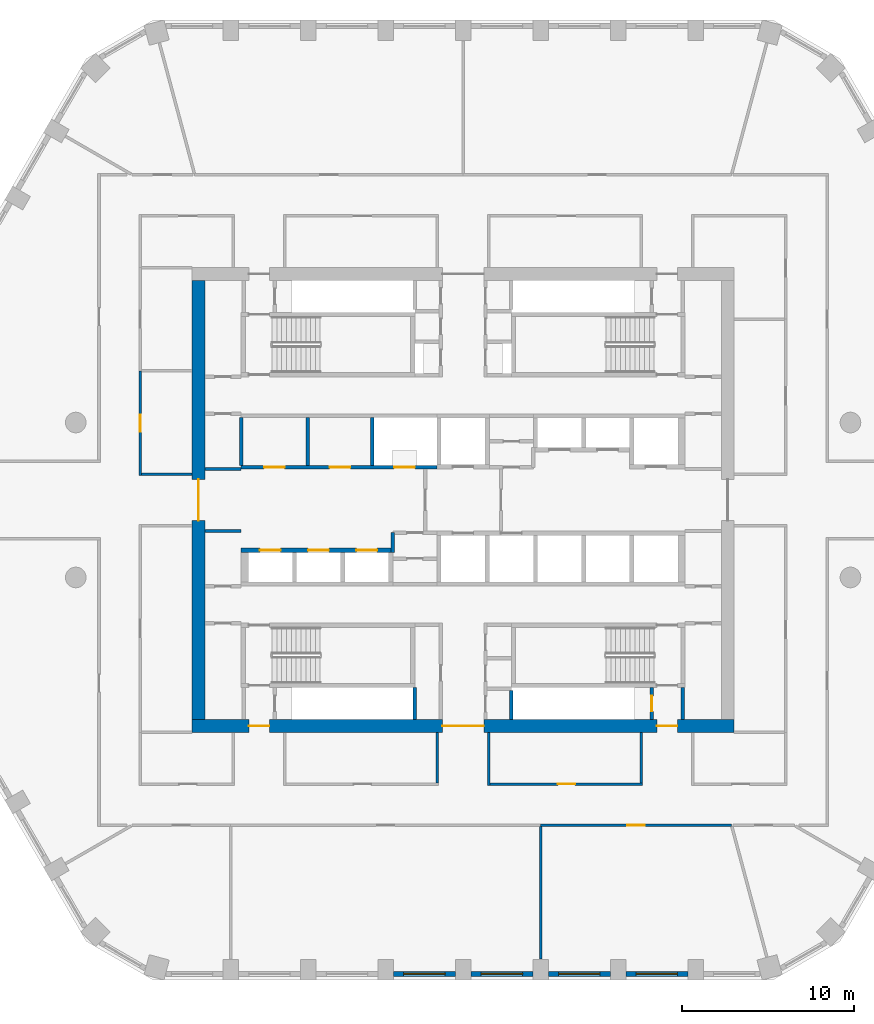
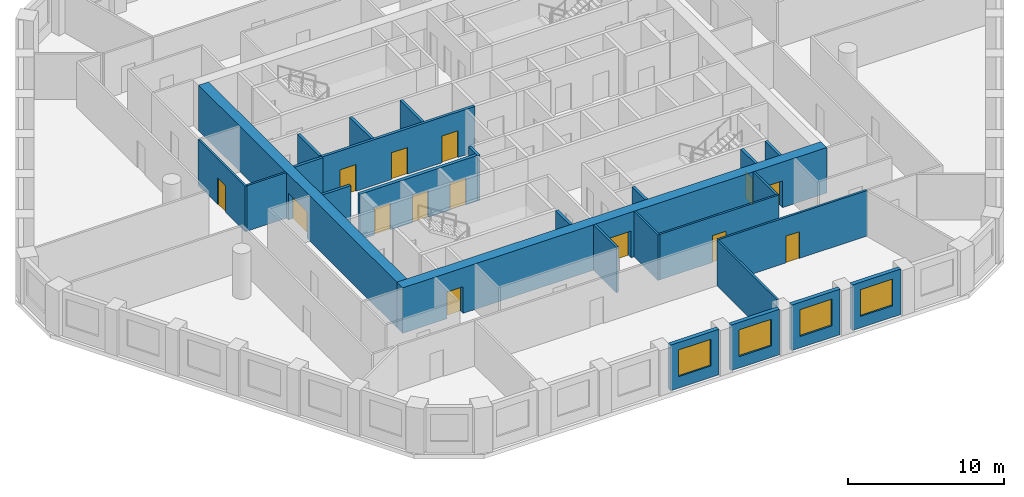
# One storey, part 3 of 10: 26 walls, 14 doors, 4 windows, 18 openings.
"""IFC4 building model written with IfcOpenShell, lengths in metres."""

from ifc_helpers import new_model, si_unit, direction, frame, frame_2d, origin, place, context, subcontext, project, spatial, rectangle, extrude, material, layer, layer_set, type_object, element, fill, save


model = new_model("IFC4")

# Units and contexts
model_context = context("Model", 3, precision=1e-05, world=origin(), true_north=direction((0.0, 1.0)))
body_context = subcontext(model_context, "Body", "Model", "MODEL_VIEW")
ifc_project = project(units=[si_unit("LENGTHUNIT", "METRE"), si_unit("AREAUNIT", "SQUARE_METRE"), si_unit("VOLUMEUNIT", "CUBIC_METRE"), si_unit("PLANEANGLEUNIT", "RADIAN"), si_unit("MASSUNIT", "GRAM", prefix="KILO")], contexts=[model_context])

# Site, building, storey
site_placement = place(None, origin())
site = spatial("IfcSite", under=ifc_project, at=site_placement, CompositionType="ELEMENT")
building_placement = place(site_placement, origin())
building = spatial("IfcBuilding", under=site, at=building_placement, Name="Dhurran Vertical Campus", CompositionType="ELEMENT")
storey_placement = place(building_placement, frame((0.0, 0.0, 152.10009765625)))
storey = spatial("IfcBuildingStorey", under=building, at=storey_placement, Name="L37", CompositionType="ELEMENT", Elevation=152.10009765625)

# Wall, opening, window
ifc_material_1 = material(Name="Precast concrete C50/60", Category="concrete")
ifc_layer_1 = layer(ifc_material_1, 0.300048828125)
ifc_layer_set_1 = layer_set([ifc_layer_1], Name="Precast concrete C50/60")
wall_type_1 = type_object("IfcWallType", Name="Precast spandrel wall 300", PredefinedType="SOLIDWALL", material=ifc_layer_set_1)
wall_1_placement = place(storey_placement, frame((-4.049560546875, -27.53271484375, 0.0), z_axis=(0.0, 0.0, 1.0), x_axis=(1.0, 0.0, 0.0)))
wall_1 = element("IfcWall", 1, at=wall_1_placement, inside=storey, type_object=wall_type_1, Name="EW1 L37.03", PredefinedType="SOLIDWALL", context=body_context, shape_type="SweptSolid", body=[
    extrude(rectangle(XDim=3.59912109375, YDim=0.300048828125, at=frame_2d((1.799560546875, 0.0))), origin(), (0.0, 0.0, 1.0), 3.574951171875),
])
opening_1_placement = place(wall_1_placement, frame((0.599609375, 0.0, 0.89990234375)))
opening_1 = element("IfcOpeningElement", 2, at=opening_1_placement, cuts=wall_1, Name="Opening WT1", PredefinedType="OPENING", context=body_context, shape_type="SweptSolid", body=[
    extrude(rectangle(XDim=2.39990234375, YDim=2.10009765625, at=frame_2d((1.199951171875, 1.050048828125))), frame((0.0, 0.159912109375, 0.0), z_axis=(0.0, -1.0, 0.0), x_axis=(1.0, 0.0, 0.0)), (0.0, 0.0, 1.0), 0.320068359375),
])
ifc_material_2 = material(Name="Aluminium frame with solar-control glass", Category="aluminium")
window_type = type_object("IfcWindowType", Name="Punched window 2400 x 2100", PartitioningType="SINGLE_PANEL", PredefinedType="WINDOW", material=ifc_material_2)
window_1_placement = place(opening_1_placement, origin())
window_1 = element("IfcWindow", 3, at=window_1_placement, inside=storey, type_object=window_type, Name="WT1 L37.03", OverallHeight=2.10009765625, OverallWidth=2.39990234375, PartitioningType="SINGLE_PANEL", PredefinedType="WINDOW", context=body_context, shape_type="SweptSolid", body=[
    extrude(rectangle(XDim=2.39990234375, YDim=2.10009765625, at=frame_2d((1.199951171875, 1.050048828125))), frame((0.0, 0.030029296875, 0.0), z_axis=(0.0, -1.0, 0.0), x_axis=(1.0, 0.0, 0.0)), (0.0, 0.0, 1.0), 0.06005859375),
])
fill(opening_1, window_1)

wall_2_placement = place(storey_placement, frame((0.450439453125, -27.53271484375, 0.0), z_axis=(0.0, 0.0, 1.0), x_axis=(1.0, 0.0, 0.0)))
wall_2 = element("IfcWall", 4, at=wall_2_placement, inside=storey, type_object=wall_type_1, Name="EW1 L37.04", PredefinedType="SOLIDWALL", context=body_context, shape_type="SweptSolid", body=[
    extrude(rectangle(XDim=3.59912109375, YDim=0.300048828125, at=frame_2d((1.799560546875, 0.0))), origin(), (0.0, 0.0, 1.0), 3.574951171875),
])
opening_2_placement = place(wall_2_placement, frame((0.599609375, 0.0, 0.89990234375)))
opening_2 = element("IfcOpeningElement", 5, at=opening_2_placement, cuts=wall_2, Name="Opening WT1", PredefinedType="OPENING", context=body_context, shape_type="SweptSolid", body=[
    extrude(rectangle(XDim=2.39990234375, YDim=2.10009765625, at=frame_2d((1.199951171875, 1.050048828125))), frame((0.0, 0.159912109375, 0.0), z_axis=(0.0, -1.0, 0.0), x_axis=(1.0, 0.0, 0.0)), (0.0, 0.0, 1.0), 0.320068359375),
])
window_2_placement = place(opening_2_placement, origin())
window_2 = element("IfcWindow", 6, at=window_2_placement, inside=storey, type_object=window_type, Name="WT1 L37.04", OverallHeight=2.10009765625, OverallWidth=2.39990234375, PartitioningType="SINGLE_PANEL", PredefinedType="WINDOW", context=body_context, shape_type="SweptSolid", body=[
    extrude(rectangle(XDim=2.39990234375, YDim=2.10009765625, at=frame_2d((1.199951171875, 1.050048828125))), frame((0.0, 0.030029296875, 0.0), z_axis=(0.0, -1.0, 0.0), x_axis=(1.0, 0.0, 0.0)), (0.0, 0.0, 1.0), 0.06005859375),
])
fill(opening_2, window_2)

wall_3_placement = place(storey_placement, frame((4.950439453125, -27.53271484375, 0.0), z_axis=(0.0, 0.0, 1.0), x_axis=(1.0, 0.0, 0.0)))
wall_3 = element("IfcWall", 7, at=wall_3_placement, inside=storey, type_object=wall_type_1, Name="EW1 L37.05", PredefinedType="SOLIDWALL", context=body_context, shape_type="SweptSolid", body=[
    extrude(rectangle(XDim=3.59912109375, YDim=0.300048828125, at=frame_2d((1.799560546875, 0.0))), origin(), (0.0, 0.0, 1.0), 3.574951171875),
])
opening_3_placement = place(wall_3_placement, frame((0.599609375, 0.0, 0.89990234375)))
opening_3 = element("IfcOpeningElement", 8, at=opening_3_placement, cuts=wall_3, Name="Opening WT1", PredefinedType="OPENING", context=body_context, shape_type="SweptSolid", body=[
    extrude(rectangle(XDim=2.39990234375, YDim=2.10009765625, at=frame_2d((1.199951171875, 1.050048828125))), frame((0.0, 0.159912109375, 0.0), z_axis=(0.0, -1.0, 0.0), x_axis=(1.0, 0.0, 0.0)), (0.0, 0.0, 1.0), 0.320068359375),
])
window_3_placement = place(opening_3_placement, origin())
window_3 = element("IfcWindow", 9, at=window_3_placement, inside=storey, type_object=window_type, Name="WT1 L37.05", OverallHeight=2.10009765625, OverallWidth=2.39990234375, PartitioningType="SINGLE_PANEL", PredefinedType="WINDOW", context=body_context, shape_type="SweptSolid", body=[
    extrude(rectangle(XDim=2.39990234375, YDim=2.10009765625, at=frame_2d((1.199951171875, 1.050048828125))), frame((0.0, 0.030029296875, 0.0), z_axis=(0.0, -1.0, 0.0), x_axis=(1.0, 0.0, 0.0)), (0.0, 0.0, 1.0), 0.06005859375),
])
fill(opening_3, window_3)

wall_4_placement = place(storey_placement, frame((9.450439453125, -27.53271484375, 0.0), z_axis=(0.0, 0.0, 1.0), x_axis=(1.0, 0.0, 0.0)))
wall_4 = element("IfcWall", 10, at=wall_4_placement, inside=storey, type_object=wall_type_1, Name="EW1 L37.06", PredefinedType="SOLIDWALL", context=body_context, shape_type="SweptSolid", body=[
    extrude(rectangle(XDim=3.59912109375, YDim=0.300048828125, at=frame_2d((1.799560546875, 0.0))), origin(), (0.0, 0.0, 1.0), 3.574951171875),
])
opening_4_placement = place(wall_4_placement, frame((0.599609375, 0.0, 0.89990234375)))
opening_4 = element("IfcOpeningElement", 11, at=opening_4_placement, cuts=wall_4, Name="Opening WT1", PredefinedType="OPENING", context=body_context, shape_type="SweptSolid", body=[
    extrude(rectangle(XDim=2.39990234375, YDim=2.10009765625, at=frame_2d((1.199951171875, 1.050048828125))), frame((0.0, 0.159912109375, 0.0), z_axis=(0.0, -1.0, 0.0), x_axis=(1.0, 0.0, 0.0)), (0.0, 0.0, 1.0), 0.320068359375),
])
window_4_placement = place(opening_4_placement, origin())
window_4 = element("IfcWindow", 12, at=window_4_placement, inside=storey, type_object=window_type, Name="WT1 L37.06", OverallHeight=2.10009765625, OverallWidth=2.39990234375, PartitioningType="SINGLE_PANEL", PredefinedType="WINDOW", context=body_context, shape_type="SweptSolid", body=[
    extrude(rectangle(XDim=2.39990234375, YDim=2.10009765625, at=frame_2d((1.199951171875, 1.050048828125))), frame((0.0, 0.030029296875, 0.0), z_axis=(0.0, -1.0, 0.0), x_axis=(1.0, 0.0, 0.0)), (0.0, 0.0, 1.0), 0.06005859375),
])
fill(opening_4, window_4)

# Wall, openings, doors
ifc_material_3 = material(Name="Concrete C60/75", Category="concrete")
ifc_layer_2 = layer(ifc_material_3, 0.75)
ifc_layer_set_2 = layer_set([ifc_layer_2], Name="Concrete C60/75")
wall_type_2 = type_object("IfcWallType", Name="co-CORE-WALL-C1-750", PredefinedType="SHEAR", material=ifc_layer_set_2)
wall_5_placement = place(storey_placement, frame((-15.75, -13.125, 0.0), z_axis=(0.0, 0.0, 1.0), x_axis=(1.0, 0.0, 0.0)))
wall_5 = element("IfcWall", 13, at=wall_5_placement, inside=storey, type_object=wall_type_2, Name="Core wall S L37", PredefinedType="SHEAR", context=body_context, shape_type="SweptSolid", body=[
    extrude(rectangle(XDim=31.5, YDim=0.75, at=frame_2d((15.75, 0.0))), origin(), (0.0, 0.0, 1.0), 3.574951171875),
])
opening_5_placement = place(wall_5_placement, frame((14.550048828125, 0.0, 0.0)))
opening_5 = element("IfcOpeningElement", 14, at=opening_5_placement, cuts=wall_5, Name="Opening CV2", PredefinedType="OPENING", context=body_context, shape_type="SweptSolid", body=[
    extrude(rectangle(XDim=2.39990234375, YDim=2.10009765625, at=frame_2d((1.199951171875, 1.050048828125))), frame((0.0, 0.385009765625, 0.0), z_axis=(0.0, -1.0, 0.0), x_axis=(1.0, 0.0, 0.0)), (0.0, 0.0, 1.0), 0.77001953125),
])
opening_6_placement = place(wall_5_placement, frame((3.300048828125, 0.0, 0.0)))
opening_6 = element("IfcOpeningElement", 15, at=opening_6_placement, cuts=wall_5, Name="Opening XD3", PredefinedType="OPENING", context=body_context, shape_type="SweptSolid", body=[
    extrude(rectangle(XDim=1.199951171875, YDim=2.10009765625, at=frame_2d((0.60009765625, 1.050048828125))), frame((0.0, 0.385009765625, 0.0), z_axis=(0.0, -1.0, 0.0), x_axis=(1.0, 0.0, 0.0)), (0.0, 0.0, 1.0), 0.77001953125),
])
opening_7_placement = place(wall_5_placement, frame((27.0, 0.0, 0.0)))
opening_7 = element("IfcOpeningElement", 16, at=opening_7_placement, cuts=wall_5, Name="Opening XD4", PredefinedType="OPENING", context=body_context, shape_type="SweptSolid", body=[
    extrude(rectangle(XDim=1.199951171875, YDim=2.10009765625, at=frame_2d((0.60009765625, 1.050048828125))), frame((0.0, 0.385009765625, 0.0), z_axis=(0.0, -1.0, 0.0), x_axis=(1.0, 0.0, 0.0)), (0.0, 0.0, 1.0), 0.77001953125),
])
ifc_material_4 = material(Name="Fire-rated glazed door set")
door_type_1 = type_object("IfcDoorType", Name="co-D-LOBBY 2400x2100", OperationType="DOUBLE_DOOR_DOUBLE_SWING", PredefinedType="DOOR", material=ifc_material_4)
door_1_placement = place(opening_5_placement, origin())
door_1 = element("IfcDoor", 17, at=door_1_placement, inside=storey, type_object=door_type_1, Name="Core vestibule door S L37", OperationType="DOUBLE_DOOR_DOUBLE_SWING", OverallHeight=2.10009765625, OverallWidth=2.39990234375, PredefinedType="DOOR", context=body_context, shape_type="SweptSolid", body=[
    extrude(rectangle(XDim=2.39990234375, YDim=2.10009765625, at=frame_2d((1.199951171875, 1.050048828125))), frame((0.0, 0.02490234375, 0.0), z_axis=(0.0, -1.0, 0.0), x_axis=(1.0, 0.0, 0.0)), (0.0, 0.0, 1.0), 0.050048828125),
])
fill(opening_5, door_1)
ifc_material_5 = material(Name="Fire-rated steel door set", Category="steel")
door_type_2 = type_object("IfcDoorType", Name="co-D-STAIR-EXIT 1200x2100", OperationType="SINGLE_SWING_RIGHT", PredefinedType="DOOR", material=ifc_material_5)
door_2_placement = place(opening_6_placement, origin())
door_2 = element("IfcDoor", 18, at=door_2_placement, inside=storey, type_object=door_type_2, Name="Stair ST3 exit door L37", OperationType="SINGLE_SWING_RIGHT", OverallHeight=2.10009765625, OverallWidth=1.199951171875, PredefinedType="DOOR", context=body_context, shape_type="SweptSolid", body=[
    extrude(rectangle(XDim=1.199951171875, YDim=2.10009765625, at=frame_2d((0.60009765625, 1.050048828125))), frame((0.0, 0.02490234375, 0.0), z_axis=(0.0, -1.0, 0.0), x_axis=(1.0, 0.0, 0.0)), (0.0, 0.0, 1.0), 0.050048828125),
])
fill(opening_6, door_2)
door_3_placement = place(opening_7_placement, origin())
door_3 = element("IfcDoor", 19, at=door_3_placement, inside=storey, type_object=door_type_2, Name="Stair ST4 exit door L37", OperationType="SINGLE_SWING_RIGHT", OverallHeight=2.10009765625, OverallWidth=1.199951171875, PredefinedType="DOOR", context=body_context, shape_type="SweptSolid", body=[
    extrude(rectangle(XDim=1.199951171875, YDim=2.10009765625, at=frame_2d((0.60009765625, 1.050048828125))), frame((0.0, 0.02490234375, 0.0), z_axis=(0.0, -1.0, 0.0), x_axis=(1.0, 0.0, 0.0)), (0.0, 0.0, 1.0), 0.050048828125),
])
fill(opening_7, door_3)

# Wall, opening, door
wall_6_placement = place(storey_placement, frame((-15.375, -12.75, 0.0), z_axis=(0.0, 0.0, 1.0), x_axis=(0.0, 1.0, 0.0)))
wall_6 = element("IfcWall", 20, at=wall_6_placement, inside=storey, type_object=wall_type_2, Name="Core wall W L37", PredefinedType="SHEAR", context=body_context, shape_type="SweptSolid", body=[
    extrude(rectangle(XDim=25.5, YDim=0.75, at=frame_2d((12.75, 0.0))), origin(), (0.0, 0.0, 1.0), 3.574951171875),
])
opening_8_placement = place(wall_6_placement, frame((11.550048828125, 0.0, 0.0)))
opening_8 = element("IfcOpeningElement", 21, at=opening_8_placement, cuts=wall_6, Name="Opening CL1", PredefinedType="OPENING", context=body_context, shape_type="SweptSolid", body=[
    extrude(rectangle(XDim=2.39990234375, YDim=2.10009765625, at=frame_2d((1.199951171875, 1.050048828125))), frame((0.0, 0.385009765625, 0.0), z_axis=(0.0, -1.0, 0.0), x_axis=(1.0, 0.0, 0.0)), (0.0, 0.0, 1.0), 0.77001953125),
])
door_4_placement = place(opening_8_placement, origin())
door_4 = element("IfcDoor", 22, at=door_4_placement, inside=storey, type_object=door_type_1, Name="Lift lobby door W L37", OperationType="DOUBLE_DOOR_DOUBLE_SWING", OverallHeight=2.10009765625, OverallWidth=2.39990234375, PredefinedType="DOOR", context=body_context, shape_type="SweptSolid", body=[
    extrude(rectangle(XDim=2.39990234375, YDim=2.10009765625, at=frame_2d((1.199951171875, 1.050048828125))), frame((0.0, 0.02490234375, 0.0), z_axis=(0.0, -1.0, 0.0), x_axis=(1.0, 0.0, 0.0)), (0.0, 0.0, 1.0), 0.050048828125),
])
fill(opening_8, door_4)

# Wall
ifc_material_6 = material(Name="Fire-rated masonry blockwork", Category="masonry")
ifc_layer_3 = layer(ifc_material_6, 0.199951171875)
ifc_layer_set_3 = layer_set([ifc_layer_3], Name="Fire-rated masonry blockwork")
wall_type_3 = type_object("IfcWallType", Name="co-FIRE-PARTITION-200", PredefinedType="PARTITIONING", material=ifc_layer_set_3)
wall_7_placement = place(storey_placement, frame((12.75, -12.75, 0.0), z_axis=(0.0, 0.0, 1.0), x_axis=(0.0, 1.0, 0.0)))
element("IfcWall", 23, at=wall_7_placement, inside=storey, type_object=wall_type_3, Name="Core partition pass-ST4-o L37", PredefinedType="PARTITIONING", context=body_context, shape_type="SweptSolid", body=[
    extrude(rectangle(XDim=1.85009765625, YDim=0.199951171875, at=frame_2d((0.925048828125, 0.0))), origin(), (0.0, 0.0, 1.0), 3.574951171875),
])

# Wall, opening, door
wall_8_placement = place(storey_placement, frame((10.949951171875, -12.75, 0.0), z_axis=(0.0, 0.0, 1.0), x_axis=(0.0, 1.0, 0.0)))
wall_8 = element("IfcWall", 24, at=wall_8_placement, inside=storey, type_object=wall_type_3, Name="Core partition pass-ST4-i L37", PredefinedType="PARTITIONING", context=body_context, shape_type="SweptSolid", body=[
    extrude(rectangle(XDim=1.85009765625, YDim=0.199951171875, at=frame_2d((0.925048828125, 0.0))), origin(), (0.0, 0.0, 1.0), 3.574951171875),
])
opening_9_placement = place(wall_8_placement, frame((0.47509765625, 0.0, 0.0)))
opening_9 = element("IfcOpeningElement", 25, at=opening_9_placement, cuts=wall_8, Name="Opening T10-C14", PredefinedType="OPENING", context=body_context, shape_type="SweptSolid", body=[
    extrude(rectangle(XDim=0.89990234375, YDim=2.10009765625, at=frame_2d((0.449951171875, 1.050048828125))), frame((0.0, 0.10986328125, 0.0), z_axis=(0.0, -1.0, 0.0), x_axis=(1.0, 0.0, 0.0)), (0.0, 0.0, 1.0), 0.219970703125),
])
ifc_material_7 = material(Name="Fire-rated timber door set", Category="wood")
door_type_3 = type_object("IfcDoorType", Name="co-D-ROOM 900x2100", OperationType="SINGLE_SWING_LEFT", PredefinedType="DOOR", material=ifc_material_7)
door_5_placement = place(opening_9_placement, origin())
door_5 = element("IfcDoor", 26, at=door_5_placement, inside=storey, type_object=door_type_3, Name="Riser room door L37", OperationType="SINGLE_SWING_LEFT", OverallHeight=2.10009765625, OverallWidth=0.89990234375, PredefinedType="DOOR", context=body_context, shape_type="SweptSolid", body=[
    extrude(rectangle(XDim=0.89990234375, YDim=2.10009765625, at=frame_2d((0.449951171875, 1.050048828125))), frame((0.0, 0.02490234375, 0.0), z_axis=(0.0, -1.0, 0.0), x_axis=(1.0, 0.0, 0.0)), (0.0, 0.0, 1.0), 0.050048828125),
])
fill(opening_9, door_5)

# Walls
for number, where, z_axis, x_axis, name in (
    (27, (-15.0, 1.800048828125, 0.0), (0.0, 0.0, 1.0), (1.0, 0.0, 0.0), "Core partition es-NW-l L37"),
    (28, (-15.0, -1.800048828125, 0.0), (0.0, 0.0, 1.0), (1.0, 0.0, 0.0), "Core partition es-SW-l L37"),
):
    element("IfcWall", number, at=place(storey_placement, frame(where, z_axis=z_axis, x_axis=x_axis)), inside=storey, type_object=wall_type_3, Name=name, PredefinedType="PARTITIONING", context=body_context, shape_type="SweptSolid", body=[
        extrude(rectangle(XDim=2.10009765625, YDim=0.199951171875, at=frame_2d((1.050048828125, 0.0))), origin(), (0.0, 0.0, 1.0), 3.574951171875),
    ])
for number, where, z_axis, x_axis, name in (
    (29, (-9.032470703125, 2.0, 0.0), (0.0, 0.0, 1.0), (0.0, 1.0, 0.0), "Core partition fr-N0-cut0 L37"),
    (30, (-5.27880859375, 2.0, 0.0), (0.0, 0.0, 1.0), (0.0, 1.0, 0.0), "Core partition fr-N0-cut1 L37"),
):
    element("IfcWall", number, at=place(storey_placement, frame(where, z_axis=z_axis, x_axis=x_axis)), inside=storey, type_object=wall_type_3, Name=name, PredefinedType="PARTITIONING", context=body_context, shape_type="SweptSolid", body=[
        extrude(rectangle(XDim=2.800048828125, YDim=0.199951171875, at=frame_2d((1.39990234375, 0.0))), origin(), (0.0, 0.0, 1.0), 3.574951171875),
    ])

# Wall, openings, doors
wall_9_placement = place(storey_placement, frame((-12.89990234375, 1.89990234375, 0.0), z_axis=(0.0, 0.0, 1.0), x_axis=(1.0, 0.0, 0.0)))
wall_9 = element("IfcWall", 31, at=wall_9_placement, inside=storey, type_object=wall_type_3, Name="Core partition fr-N0-f L37", PredefinedType="PARTITIONING", context=body_context, shape_type="SweptSolid", body=[
    extrude(rectangle(XDim=11.375, YDim=0.199951171875, at=frame_2d((5.6875, 0.0))), origin(), (0.0, 0.0, 1.0), 3.574951171875),
])
opening_10_placement = place(wall_9_placement, frame((1.333740234375, 0.0, 0.0)))
opening_10 = element("IfcOpeningElement", 32, at=opening_10_placement, cuts=wall_9, Name="Opening T10-C23", PredefinedType="OPENING", context=body_context, shape_type="SweptSolid", body=[
    extrude(rectangle(XDim=1.199951171875, YDim=2.10009765625, at=frame_2d((0.60009765625, 1.050048828125))), frame((0.0, 0.10986328125, 0.0), z_axis=(0.0, -1.0, 0.0), x_axis=(1.0, 0.0, 0.0)), (0.0, 0.0, 1.0), 0.219970703125),
])
opening_11_placement = place(wall_9_placement, frame((5.144287109375, 0.0, 0.0)))
opening_11 = element("IfcOpeningElement", 33, at=opening_11_placement, cuts=wall_9, Name="Opening T10-C24", PredefinedType="OPENING", context=body_context, shape_type="SweptSolid", body=[
    extrude(rectangle(XDim=1.199951171875, YDim=2.10009765625, at=frame_2d((0.60009765625, 1.050048828125))), frame((0.0, 0.10986328125, 0.0), z_axis=(0.0, -1.0, 0.0), x_axis=(1.0, 0.0, 0.0)), (0.0, 0.0, 1.0), 0.219970703125),
])
opening_12_placement = place(wall_9_placement, frame((8.898193359375, 0.0, 0.0)))
opening_12 = element("IfcOpeningElement", 34, at=opening_12_placement, cuts=wall_9, Name="Opening T10-C25", PredefinedType="OPENING", context=body_context, shape_type="SweptSolid", body=[
    extrude(rectangle(XDim=1.199951171875, YDim=2.10009765625, at=frame_2d((0.60009765625, 1.050048828125))), frame((0.0, 0.10986328125, 0.0), z_axis=(0.0, -1.0, 0.0), x_axis=(1.0, 0.0, 0.0)), (0.0, 0.0, 1.0), 0.219970703125),
])
ifc_material_8 = material(Name="Fire-rated steel door set", Category="steel")
door_type_4 = type_object("IfcDoorType", Name="co-D-ROOM-PASSAGE 1200x2100", OperationType="SINGLE_SWING_RIGHT", PredefinedType="DOOR", material=ifc_material_8)
door_6_placement = place(opening_10_placement, origin())
door_6 = element("IfcDoor", 35, at=door_6_placement, inside=storey, type_object=door_type_4, Name="Cleaner's store door L37", OperationType="SINGLE_SWING_RIGHT", OverallHeight=2.10009765625, OverallWidth=1.199951171875, PredefinedType="DOOR", context=body_context, shape_type="SweptSolid", body=[
    extrude(rectangle(XDim=1.199951171875, YDim=2.10009765625, at=frame_2d((0.60009765625, 1.050048828125))), frame((0.0, 0.02490234375, 0.0), z_axis=(0.0, -1.0, 0.0), x_axis=(1.0, 0.0, 0.0)), (0.0, 0.0, 1.0), 0.050048828125),
])
fill(opening_10, door_6)
door_7_placement = place(opening_11_placement, origin())
door_7 = element("IfcDoor", 36, at=door_7_placement, inside=storey, type_object=door_type_4, Name="Cleaner's store door L37", OperationType="SINGLE_SWING_RIGHT", OverallHeight=2.10009765625, OverallWidth=1.199951171875, PredefinedType="DOOR", context=body_context, shape_type="SweptSolid", body=[
    extrude(rectangle(XDim=1.199951171875, YDim=2.10009765625, at=frame_2d((0.60009765625, 1.050048828125))), frame((0.0, 0.02490234375, 0.0), z_axis=(0.0, -1.0, 0.0), x_axis=(1.0, 0.0, 0.0)), (0.0, 0.0, 1.0), 0.050048828125),
])
fill(opening_11, door_7)
door_8_placement = place(opening_12_placement, origin())
door_8 = element("IfcDoor", 37, at=door_8_placement, inside=storey, type_object=door_type_4, Name="Electrical riser door L37", OperationType="SINGLE_SWING_RIGHT", OverallHeight=2.10009765625, OverallWidth=1.199951171875, PredefinedType="DOOR", context=body_context, shape_type="SweptSolid", body=[
    extrude(rectangle(XDim=1.199951171875, YDim=2.10009765625, at=frame_2d((0.60009765625, 1.050048828125))), frame((0.0, 0.02490234375, 0.0), z_axis=(0.0, -1.0, 0.0), x_axis=(1.0, 0.0, 0.0)), (0.0, 0.0, 1.0), 0.050048828125),
])
fill(opening_12, door_8)

# Walls
wall_10_placement = place(storey_placement, frame((-12.89990234375, 2.0, 0.0), z_axis=(0.0, 0.0, 1.0), x_axis=(0.0, 1.0, 0.0)))
element("IfcWall", 38, at=wall_10_placement, inside=storey, type_object=wall_type_3, Name="Core partition fr-N0-e0 L37", PredefinedType="PARTITIONING", context=body_context, shape_type="SweptSolid", body=[
    extrude(rectangle(XDim=2.800048828125, YDim=0.199951171875, at=frame_2d((1.39990234375, 0.0))), origin(), (0.0, 0.0, 1.0), 3.574951171875),
])
wall_11_placement = place(storey_placement, frame((-4.074951171875, -1.89990234375, 0.0), z_axis=(0.0, 0.0, 1.0), x_axis=(0.0, -1.0, 0.0)))
element("IfcWall", 39, at=wall_11_placement, inside=storey, type_object=wall_type_3, Name="Core partition fr-S0-n0 L37", PredefinedType="PARTITIONING", context=body_context, shape_type="SweptSolid", body=[
    extrude(rectangle(XDim=1.150146484375, YDim=0.199951171875, at=frame_2d((0.5751953125, 0.0))), origin(), (0.0, 0.0, 1.0), 3.574951171875),
])
wall_12_placement = place(storey_placement, frame((-2.800048828125, -12.7490234375, 0.0), z_axis=(0.0, 0.0, 1.0), x_axis=(0.0, 1.0, 0.0)))
element("IfcWall", 40, at=wall_12_placement, inside=storey, type_object=wall_type_3, Name="Riser enclosure wall L37", PredefinedType="PARTITIONING", context=body_context, shape_type="SweptSolid", body=[
    extrude(rectangle(XDim=1.84814453125, YDim=0.199951171875, at=frame_2d((0.924072265625, 0.0))), origin(), (0.0, 0.0, 1.0), 3.574951171875),
])
wall_13_placement = place(storey_placement, frame((2.800048828125, -11.069091796875, 0.0), z_axis=(0.0, 0.0, 1.0), x_axis=(0.0, -1.0, 0.0)))
element("IfcWall", 41, at=wall_13_placement, inside=storey, type_object=wall_type_3, Name="Riser enclosure wall L37", PredefinedType="PARTITIONING", context=body_context, shape_type="SweptSolid", body=[
    extrude(rectangle(XDim=1.679931640625, YDim=0.199951171875, at=frame_2d((0.83984375, 0.0))), origin(), (0.0, 0.0, 1.0), 3.574951171875),
])

# Wall, openings, doors
ifc_material_9 = material(Name="Concrete C50/60", Category="concrete")
ifc_layer_4 = layer(ifc_material_9, 0.25)
ifc_layer_set_4 = layer_set([ifc_layer_4], Name="Concrete C50/60")
wall_type_4 = type_object("IfcWallType", Name="co-SHAFT-FRONT-250", PredefinedType="SHEAR", material=ifc_layer_set_4)
wall_14_placement = place(storey_placement, frame((-12.89990234375, -2.925048828125, 0.0), z_axis=(0.0, 0.0, 1.0), x_axis=(1.0, 0.0, 0.0)))
wall_14 = element("IfcWall", 42, at=wall_14_placement, inside=storey, type_object=wall_type_4, Name="Lift landing wall S L37", PredefinedType="SHEAR", context=body_context, shape_type="SweptSolid", body=[
    extrude(rectangle(XDim=8.824951171875, YDim=0.25, at=frame_2d((4.41259765625, 0.0))), origin(), (0.0, 0.0, 1.0), 3.574951171875),
])
opening_13_placement = place(wall_14_placement, frame((1.10009765625, 0.0, 0.0)))
opening_13 = element("IfcOpeningElement", 43, at=opening_13_placement, cuts=wall_14, Name="Opening LD", PredefinedType="OPENING", context=body_context, shape_type="SweptSolid", body=[
    extrude(rectangle(XDim=1.199951171875, YDim=2.10009765625, at=frame_2d((0.60009765625, 1.050048828125))), frame((0.0, 0.135009765625, 0.0), z_axis=(0.0, -1.0, 0.0), x_axis=(1.0, 0.0, 0.0)), (0.0, 0.0, 1.0), 0.27001953125),
])
opening_14_placement = place(wall_14_placement, frame((3.89990234375, 0.0, 0.0)))
opening_14 = element("IfcOpeningElement", 44, at=opening_14_placement, cuts=wall_14, Name="Opening LD", PredefinedType="OPENING", context=body_context, shape_type="SweptSolid", body=[
    extrude(rectangle(XDim=1.199951171875, YDim=2.10009765625, at=frame_2d((0.60009765625, 1.050048828125))), frame((0.0, 0.135009765625, 0.0), z_axis=(0.0, -1.0, 0.0), x_axis=(1.0, 0.0, 0.0)), (0.0, 0.0, 1.0), 0.27001953125),
])
opening_15_placement = place(wall_14_placement, frame((6.699951171875, 0.0, 0.0)))
opening_15 = element("IfcOpeningElement", 45, at=opening_15_placement, cuts=wall_14, Name="Opening LD", PredefinedType="OPENING", context=body_context, shape_type="SweptSolid", body=[
    extrude(rectangle(XDim=1.199951171875, YDim=2.10009765625, at=frame_2d((0.60009765625, 1.050048828125))), frame((0.0, 0.135009765625, 0.0), z_axis=(0.0, -1.0, 0.0), x_axis=(1.0, 0.0, 0.0)), (0.0, 0.0, 1.0), 0.27001953125),
])
ifc_material_10 = material(Name="Stainless steel landing door", Category="steel")
door_type_5 = type_object("IfcDoorType", Name="co-D-LANDING 1200x2100", OperationType="DOUBLE_DOOR_SLIDING", PredefinedType="DOOR", material=ifc_material_10)
door_9_placement = place(opening_13_placement, origin())
door_9 = element("IfcDoor", 46, at=door_9_placement, inside=storey, type_object=door_type_5, Name="Landing door MR3 L37", OperationType="DOUBLE_DOOR_SLIDING", OverallHeight=2.10009765625, OverallWidth=1.199951171875, PredefinedType="DOOR", context=body_context, shape_type="SweptSolid", body=[
    extrude(rectangle(XDim=1.199951171875, YDim=2.10009765625, at=frame_2d((0.60009765625, 1.050048828125))), frame((0.0, 0.02490234375, 0.0), z_axis=(0.0, -1.0, 0.0), x_axis=(1.0, 0.0, 0.0)), (0.0, 0.0, 1.0), 0.050048828125),
])
fill(opening_13, door_9)
door_10_placement = place(opening_14_placement, origin())
door_10 = element("IfcDoor", 47, at=door_10_placement, inside=storey, type_object=door_type_5, Name="Landing door MR4 L37", OperationType="DOUBLE_DOOR_SLIDING", OverallHeight=2.10009765625, OverallWidth=1.199951171875, PredefinedType="DOOR", context=body_context, shape_type="SweptSolid", body=[
    extrude(rectangle(XDim=1.199951171875, YDim=2.10009765625, at=frame_2d((0.60009765625, 1.050048828125))), frame((0.0, 0.02490234375, 0.0), z_axis=(0.0, -1.0, 0.0), x_axis=(1.0, 0.0, 0.0)), (0.0, 0.0, 1.0), 0.050048828125),
])
fill(opening_14, door_10)
door_11_placement = place(opening_15_placement, origin())
door_11 = element("IfcDoor", 48, at=door_11_placement, inside=storey, type_object=door_type_5, Name="Landing door MR5 L37", OperationType="DOUBLE_DOOR_SLIDING", OverallHeight=2.10009765625, OverallWidth=1.199951171875, PredefinedType="DOOR", context=body_context, shape_type="SweptSolid", body=[
    extrude(rectangle(XDim=1.199951171875, YDim=2.10009765625, at=frame_2d((0.60009765625, 1.050048828125))), frame((0.0, 0.02490234375, 0.0), z_axis=(0.0, -1.0, 0.0), x_axis=(1.0, 0.0, 0.0)), (0.0, 0.0, 1.0), 0.050048828125),
])
fill(opening_15, door_11)

# Wall, opening, door
ifc_material_11 = material(Name="Gypsum board corridor wall on steel studs", Category="steel")
ifc_layer_5 = layer(ifc_material_11, 0.14990234375)
ifc_layer_set_5 = layer_set([ifc_layer_5], Name="Gypsum board corridor wall on steel studs")
wall_type_5 = type_object("IfcWallType", Name="fl-CW-150 corridor wall", PredefinedType="PARTITIONING", material=ifc_layer_set_5)
wall_15_placement = place(storey_placement, frame((-18.75, 1.425048828125, 0.0), z_axis=(0.0, 0.0, 1.0), x_axis=(0.0, 1.0, 0.0)))
wall_15 = element("IfcWall", 49, at=wall_15_placement, inside=storey, type_object=wall_type_5, Name="Partition 37-16", PredefinedType="PARTITIONING", context=body_context, shape_type="SweptSolid", body=[
    extrude(rectangle(XDim=6.074951171875, YDim=0.14990234375, at=frame_2d((3.03759765625, 0.0))), origin(), (0.0, 0.0, 1.0), 3.574951171875),
])
opening_16_placement = place(wall_15_placement, frame((2.53759765625, 0.0, 0.0)))
opening_16 = element("IfcOpeningElement", 50, at=opening_16_placement, cuts=wall_15, Name="Opening T10.06", PredefinedType="OPENING", context=body_context, shape_type="SweptSolid", body=[
    extrude(rectangle(XDim=1.0, YDim=2.10009765625, at=frame_2d((0.5, 1.050048828125))), frame((0.0, 0.0849609375, 0.0), z_axis=(0.0, -1.0, 0.0), x_axis=(1.0, 0.0, 0.0)), (0.0, 0.0, 1.0), 0.169921875),
])
ifc_material_12 = material(Name="Solid-core timber door set, fire-rated", Category="wood")
door_type_6 = type_object("IfcDoorType", Name="fl-D-1000x2100", OperationType="SINGLE_SWING_LEFT", PredefinedType="DOOR", material=ifc_material_12)
door_12_placement = place(opening_16_placement, origin())
door_12 = element("IfcDoor", 51, at=door_12_placement, inside=storey, type_object=door_type_6, Name="Door 37.06", OperationType="SINGLE_SWING_RIGHT", OverallHeight=2.10009765625, OverallWidth=1.0, PredefinedType="DOOR", context=body_context, shape_type="SweptSolid", body=[
    extrude(rectangle(XDim=1.0, YDim=2.10009765625, at=frame_2d((0.5, 1.050048828125))), frame((0.0, 0.02490234375, 0.0), z_axis=(0.0, -1.0, 0.0), x_axis=(1.0, 0.0, 0.0)), (0.0, 0.0, 1.0), 0.050048828125),
])
fill(opening_16, door_12)

# Walls
for number, where, z_axis, x_axis, name in (
    (52, (-15.75, 1.5, 0.0), (0.0, 0.0, 1.0), (-1.0, 0.0, 0.0), "Partition 37-17"),
    (53, (-1.5, -13.5, 0.0), (0.0, 0.0, 1.0), (0.0, -1.0, 0.0), "Partition 37-33"),
):
    element("IfcWall", number, at=place(storey_placement, frame(where, z_axis=z_axis, x_axis=x_axis)), inside=storey, type_object=wall_type_5, Name=name, PredefinedType="PARTITIONING", context=body_context, shape_type="SweptSolid", body=[
        extrude(rectangle(XDim=2.925048828125, YDim=0.14990234375, at=frame_2d((1.46240234375, 0.0))), origin(), (0.0, 0.0, 1.0), 3.574951171875),
    ])
wall_16_placement = place(storey_placement, frame((1.5, -16.574951171875, 0.0), z_axis=(0.0, 0.0, 1.0), x_axis=(0.0, 1.0, 0.0)))
element("IfcWall", 54, at=wall_16_placement, inside=storey, type_object=wall_type_5, Name="Partition 37-37", PredefinedType="PARTITIONING", context=body_context, shape_type="SweptSolid", body=[
    extrude(rectangle(XDim=3.074951171875, YDim=0.14990234375, at=frame_2d((1.53759765625, 0.0))), origin(), (0.0, 0.0, 1.0), 3.574951171875),
])

# Wall, opening, door
wall_17_placement = place(storey_placement, frame((10.425048828125, -16.5, 0.0), z_axis=(0.0, 0.0, 1.0), x_axis=(-1.0, 0.0, 0.0)))
wall_17 = element("IfcWall", 55, at=wall_17_placement, inside=storey, type_object=wall_type_5, Name="Partition 37-38", PredefinedType="PARTITIONING", context=body_context, shape_type="SweptSolid", body=[
    extrude(rectangle(XDim=8.85009765625, YDim=0.14990234375, at=frame_2d((4.425048828125, 0.0))), origin(), (0.0, 0.0, 1.0), 3.574951171875),
])
opening_17_placement = place(wall_17_placement, frame((3.925048828125, 0.0, 0.0)))
opening_17 = element("IfcOpeningElement", 56, at=opening_17_placement, cuts=wall_17, Name="Opening T10.14", PredefinedType="OPENING", context=body_context, shape_type="SweptSolid", body=[
    extrude(rectangle(XDim=1.0, YDim=2.10009765625, at=frame_2d((0.5, 1.050048828125))), frame((0.0, 0.0849609375, 0.0), z_axis=(0.0, -1.0, 0.0), x_axis=(1.0, 0.0, 0.0)), (0.0, 0.0, 1.0), 0.169921875),
])
door_13_placement = place(opening_17_placement, origin())
door_13 = element("IfcDoor", 57, at=door_13_placement, inside=storey, type_object=door_type_6, Name="Door 37.14", OperationType="SINGLE_SWING_RIGHT", OverallHeight=2.10009765625, OverallWidth=1.0, PredefinedType="DOOR", context=body_context, shape_type="SweptSolid", body=[
    extrude(rectangle(XDim=1.0, YDim=2.10009765625, at=frame_2d((0.5, 1.050048828125))), frame((0.0, 0.02490234375, 0.0), z_axis=(0.0, -1.0, 0.0), x_axis=(1.0, 0.0, 0.0)), (0.0, 0.0, 1.0), 0.050048828125),
])
fill(opening_17, door_13)

wall_18_placement = place(storey_placement, frame((4.5, -18.89990234375, 0.0), z_axis=(0.0, 0.0, 1.0), x_axis=(1.0, 0.0, 0.0)))
wall_18 = element("IfcWall", 58, at=wall_18_placement, inside=storey, type_object=wall_type_5, Name="Partition 37-42", PredefinedType="PARTITIONING", context=body_context, shape_type="SweptSolid", body=[
    extrude(rectangle(XDim=11.093017578125, YDim=0.14990234375, at=frame_2d((5.54638671875, 0.0))), origin(), (0.0, 0.0, 1.0), 3.574951171875),
])
opening_18_placement = place(wall_18_placement, frame((5.04638671875, 0.0, 0.0)))
opening_18 = element("IfcOpeningElement", 59, at=opening_18_placement, cuts=wall_18, Name="Opening T10.17", PredefinedType="OPENING", context=body_context, shape_type="SweptSolid", body=[
    extrude(rectangle(XDim=1.0, YDim=2.10009765625, at=frame_2d((0.5, 1.050048828125))), frame((0.0, 0.0849609375, 0.0), z_axis=(0.0, -1.0, 0.0), x_axis=(1.0, 0.0, 0.0)), (0.0, 0.0, 1.0), 0.169921875),
])
door_14_placement = place(opening_18_placement, origin())
door_14 = element("IfcDoor", 60, at=door_14_placement, inside=storey, type_object=door_type_6, Name="Door 37.17", OperationType="SINGLE_SWING_LEFT", OverallHeight=2.10009765625, OverallWidth=1.0, PredefinedType="DOOR", context=body_context, shape_type="SweptSolid", body=[
    extrude(rectangle(XDim=1.0, YDim=2.10009765625, at=frame_2d((0.5, 1.050048828125))), frame((0.0, 0.02490234375, 0.0), z_axis=(0.0, -1.0, 0.0), x_axis=(1.0, 0.0, 0.0)), (0.0, 0.0, 1.0), 0.050048828125),
])
fill(opening_18, door_14)

# Walls
wall_19_placement = place(storey_placement, frame((10.35009765625, -13.5, 0.0), z_axis=(0.0, 0.0, 1.0), x_axis=(0.0, -1.0, 0.0)))
element("IfcWall", 61, at=wall_19_placement, inside=storey, type_object=wall_type_5, Name="Partition 37-43", PredefinedType="PARTITIONING", context=body_context, shape_type="SweptSolid", body=[
    extrude(rectangle(XDim=2.925048828125, YDim=0.14990234375, at=frame_2d((1.46240234375, 0.0))), origin(), (0.0, 0.0, 1.0), 3.574951171875),
])
ifc_material_13 = material(Name="Gypsum board partition on steel studs", Category="steel")
ifc_layer_6 = layer(ifc_material_13, 0.14990234375)
ifc_layer_set_6 = layer_set([ifc_layer_6], Name="Gypsum board partition on steel studs")
wall_type_6 = type_object("IfcWallType", Name="fl-PW-150 fixed partition", PredefinedType="PARTITIONING", material=ifc_layer_set_6)
wall_20_placement = place(storey_placement, frame((4.5, -18.97509765625, 0.0), z_axis=(0.0, 0.0, 1.0), x_axis=(0.0, -1.0, 0.0)))
element("IfcWall", 62, at=wall_20_placement, inside=storey, type_object=wall_type_6, Name="Partition 37-41", PredefinedType="PARTITIONING", context=body_context, shape_type="SweptSolid", body=[
    extrude(rectangle(XDim=7.6875, YDim=0.14990234375, at=frame_2d((3.84375, 0.0))), origin(), (0.0, 0.0, 1.0), 3.574951171875),
])

save(model, "model.ifc")
